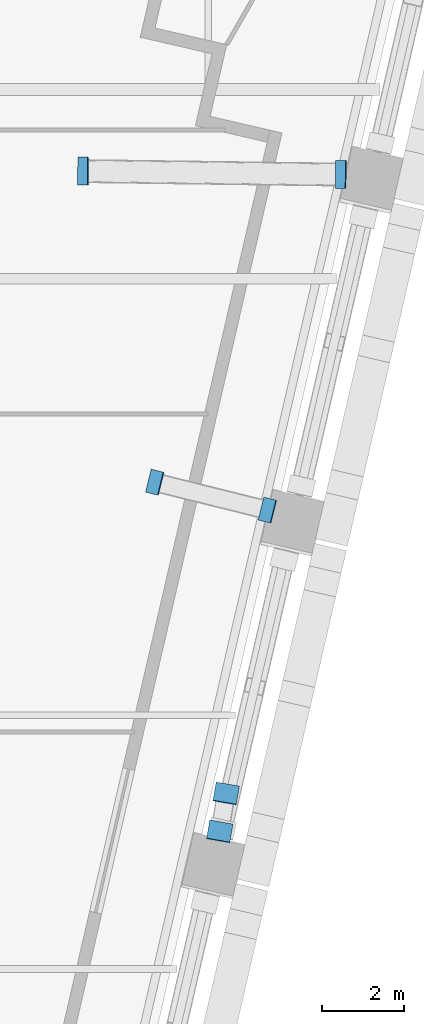
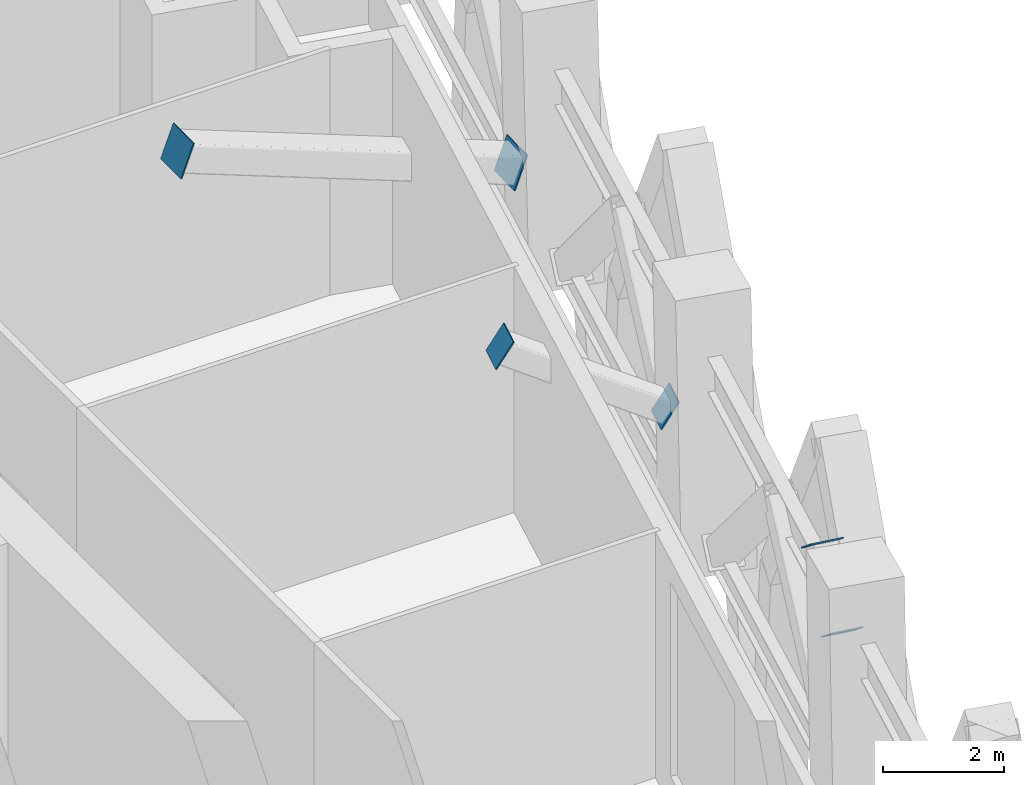
# One storey, part 16 of 20: 6 discrete accessories.
"""IFC4 building model written with IfcOpenShell, lengths in metres."""

import ifcopenshell
import ifcopenshell.guid

model = None  # the IFC model being written
_history = None  # IfcOwnerHistory: only IFC2X3 demands one
_inside = {}  # id of a spatial element -> (the spatial element, [elements in it])
_under = {}  # id of a project, library or spatial element -> (it, [spatial elements below it])
_declared = {}  # id of a project -> (the project, [libraries it declares])
_typed = {}  # id of a type object -> (the type object, [elements of that type])
_made_of = {}  # id of a material, layer set ... -> (it, [elements and type objects made of it])


def new_model(schema):
    """Start an empty IFC model of exactly this schema.

    Asked for "IFC4X3", IfcOpenShell would pick the latest addendum, in which some entities
    have other attributes; the version numbers below select the first issue.
    IFC2X3 requires an IfcOwnerHistory on every rooted entity: one is made here for all.
    """
    global model, _history
    if schema == "IFC4X3":
        model = ifcopenshell.file(schema_version=(4, 3, 0, 0))
    else:
        model = ifcopenshell.file(schema=schema)
    _inside.clear()
    _under.clear()
    _declared.clear()
    _typed.clear()
    _made_of.clear()
    _history = None
    if model.schema == "IFC2X3":
        org = make("IfcOrganization", Name="unknown")
        user = make(
            "IfcPersonAndOrganization",
            ThePerson=make("IfcPerson", FamilyName="unknown"),
            TheOrganization=org,
        )
        app = make(
            "IfcApplication",
            ApplicationDeveloper=org,
            Version="unknown",
            ApplicationFullName="unknown",
            ApplicationIdentifier="unknown",
        )
        _history = make(
            "IfcOwnerHistory",
            OwningUser=user,
            OwningApplication=app,
            ChangeAction="ADDED",
            CreationDate=0,
        )
    return model


def make(cls, **values):
    """One entity of the class cls with the attributes given. An attribute that is None is left unset."""
    return model.create_entity(
        cls, **{name: value for name, value in values.items() if value is not None}
    )


def rooted(cls, **values):
    """An entity with a GlobalId (a new one), such as an element, a storey or a relation."""
    return make(cls, GlobalId=ifcopenshell.guid.new(), OwnerHistory=_history, **values)


def si_unit(unit_type, name, prefix=None):
    """IfcSIUnit, for example si_unit("LENGTHUNIT", "METRE", prefix="MILLI")."""
    return make("IfcSIUnit", UnitType=unit_type, Prefix=prefix, Name=name)


def assignment(units):
    """IfcUnitAssignment: the units of a project."""
    return None if units is None else make("IfcUnitAssignment", Units=units)


def point(xyz):
    """IfcCartesianPoint."""
    return None if xyz is None else make("IfcCartesianPoint", Coordinates=xyz)


def direction(xyz):
    """IfcDirection."""
    return None if xyz is None else make("IfcDirection", DirectionRatios=xyz)


def frame(location, z_axis=None, x_axis=None):
    """IfcAxis2Placement3D, a coordinate frame: its origin and axes. An axis left out is left unset."""
    return make(
        "IfcAxis2Placement3D",
        Location=point(location),
        Axis=direction(z_axis),
        RefDirection=direction(x_axis),
    )


def frame_2d(location, x_axis=None):
    """IfcAxis2Placement2D, a coordinate frame in the plane: its origin and x axis."""
    return make(
        "IfcAxis2Placement2D", Location=point(location), RefDirection=direction(x_axis)
    )


def origin():
    """The frame at (0, 0, 0) with its axes left unset."""
    return frame((0.0, 0.0, 0.0))


def origin_2d():
    """The frame at (0, 0) in the plane with its x axis left unset."""
    return frame_2d((0.0, 0.0))


def place(relative_to, where):
    """IfcLocalPlacement: puts the frame where relative to a parent placement (None: the world)."""
    return make(
        "IfcLocalPlacement", PlacementRelTo=relative_to, RelativePlacement=where
    )


def context(
    kind, dimensions, precision=None, world=None, true_north=None, identifier=None
):
    """IfcGeometricRepresentationContext, for example the 3D "Model" context."""
    return make(
        "IfcGeometricRepresentationContext",
        ContextIdentifier=identifier,
        ContextType=kind,
        CoordinateSpaceDimension=dimensions,
        Precision=precision,
        WorldCoordinateSystem=world,
        TrueNorth=true_north,
    )


def subcontext(parent, identifier, kind, view, scale=None):
    """IfcGeometricRepresentationSubContext, for example "Body" below "Model"."""
    return make(
        "IfcGeometricRepresentationSubContext",
        ContextIdentifier=identifier,
        ContextType=kind,
        ParentContext=parent,
        TargetScale=scale,
        TargetView=view,
    )


def project(units=None, contexts=None):
    """IfcProject with its units and contexts."""
    return rooted(
        "IfcProject",
        Name="project",
        RepresentationContexts=contexts,
        UnitsInContext=assignment(units),
    )


def spatial(cls, under=None, at=None, **own):
    """A site, building, storey or space (cls), placed at a placement, below another one or the project."""
    s = rooted(cls, ObjectPlacement=at, **own)
    if under is not None:
        _under.setdefault(under.id(), (under, []))[1].append(s)
    return s


def profile(cls, at=None, kind="AREA", **sizes):
    """A parametric profile (cls). Its sizes go by their IFC names, for example OverallWidth=200.0."""
    return make(cls, ProfileType=kind, Position=at, **sizes)


def rectangle(**sizes):
    """IfcRectangleProfileDef."""
    return profile("IfcRectangleProfileDef", **sizes)


def extrude(swept, where, along, depth):
    """IfcExtrudedAreaSolid: the profile swept, set in the frame where, extruded along a direction by depth."""
    return make(
        "IfcExtrudedAreaSolid",
        SweptArea=swept,
        Position=where,
        ExtrudedDirection=direction(along),
        Depth=depth,
    )


def shape(context_of_items, identifier, shape_type, items):
    """IfcShapeRepresentation: the items that make up one representation, for example the "Body"."""
    return make(
        "IfcShapeRepresentation",
        ContextOfItems=context_of_items,
        RepresentationIdentifier=identifier,
        RepresentationType=shape_type,
        Items=items,
    )


def material(Name=None, Category=None):
    """IfcMaterial."""
    return make("IfcMaterial", Name=Name, Category=Category)


def material_profile(
    of_material, cross_section, Name=None, Category=None, Priority=None
):
    """IfcMaterialProfile: a cross section and its material."""
    return make(
        "IfcMaterialProfile",
        Name=Name,
        Material=of_material,
        Profile=cross_section,
        Priority=Priority,
        Category=Category,
    )


def profile_set(profiles, Name=None, composite=None):
    """IfcMaterialProfileSet."""
    return make(
        "IfcMaterialProfileSet",
        Name=Name,
        MaterialProfiles=profiles,
        CompositeProfile=composite,
    )


def made_of(thing, what):
    """Note that an element or type object is made of a material, layer set ...; save() writes the relation."""
    if what is not None:
        _made_of.setdefault(what.id(), (what, []))[1].append(thing)
    return thing


def type_object(cls, material=None, **own):
    """A type object (cls), such as IfcWallType, which elements share."""
    return made_of(rooted(cls, **own), material)


def element(
    cls,
    number,
    at=None,
    inside=None,
    cuts=None,
    type_object=None,
    material=None,
    context=None,
    identifier="Body",
    shape_type=None,
    held_by="IfcProductDefinitionShape",
    body=None,
    shapes=None,
    **own,
):
    """One element of the class cls, such as IfcWall. Its Tag is "e" and its number.

    at: its placement. inside: the storey or other place that contains it. cuts: it is an
    opening in that element (IfcRelVoidsElement). A single representation is given by context,
    identifier, shape_type and body (its items); several are given by shapes. held_by: the class
    of the entity that holds the representations. save() writes the other relations.
    """
    e = rooted(cls, Tag="e%d" % number, ObjectPlacement=at, **own)
    if body is not None:
        shapes = [shape(context, identifier, shape_type, body)]
    if shapes is not None:
        e.Representation = make(held_by, Representations=shapes)
    if inside is not None:
        _inside.setdefault(inside.id(), (inside, []))[1].append(e)
    if cuts is not None:
        rooted(
            "IfcRelVoidsElement", RelatingBuildingElement=cuts, RelatedOpeningElement=e
        )
    if type_object is not None:
        _typed.setdefault(type_object.id(), (type_object, []))[1].append(e)
    return made_of(e, material)


def aggregate(whole, parts):
    """IfcRelAggregates: a whole, such as a stair, and the parts it consists of."""
    return rooted("IfcRelAggregates", RelatingObject=whole, RelatedObjects=parts)


def save(model, path):
    """Write the relations noted so far, then the file.

    IfcRelAggregates (storeys below a building ...), IfcRelContainedInSpatialStructure (elements
    in a storey), IfcRelDefinesByType, IfcRelAssociatesMaterial and IfcRelDeclares: one each for
    every whole, place, type object, material and project.
    """
    for whole, parts in _under.values():
        aggregate(whole, parts)
    for where, things in _inside.values():
        rooted(
            "IfcRelContainedInSpatialStructure",
            RelatedElements=things,
            RelatingStructure=where,
        )
    for kind, things in _typed.values():
        rooted("IfcRelDefinesByType", RelatedObjects=things, RelatingType=kind)
    for what, things in _made_of.values():
        rooted("IfcRelAssociatesMaterial", RelatedObjects=things, RelatingMaterial=what)
    for by, libraries in _declared.values():
        rooted("IfcRelDeclares", RelatingContext=by, RelatedDefinitions=libraries)
    model.write(path)


model = new_model("IFC4")

# Units and contexts
model_context = context("Model", 3, precision=1e-05, world=origin(), true_north=direction((0.0, 1.0)))
body_context = subcontext(model_context, "Body", "Model", "MODEL_VIEW")
ifc_project = project(units=[si_unit("LENGTHUNIT", "METRE"), si_unit("AREAUNIT", "SQUARE_METRE"), si_unit("VOLUMEUNIT", "CUBIC_METRE"), si_unit("PLANEANGLEUNIT", "RADIAN"), si_unit("MASSUNIT", "GRAM", prefix="KILO")], contexts=[model_context])

# Site, building, storey
site_placement = place(None, origin())
site = spatial("IfcSite", under=ifc_project, at=site_placement, CompositionType="ELEMENT")
building_placement = place(site_placement, origin())
building = spatial("IfcBuilding", under=site, at=building_placement, Name="Ogive Exchange Tower", CompositionType="ELEMENT")
storey_placement = place(building_placement, frame((0.0, 0.0, 160.199951171875)))
storey = spatial("IfcBuildingStorey", under=building, at=storey_placement, Name="L35", CompositionType="ELEMENT", Elevation=160.199951171875)

# Discrete accessories
ifc_material = material(Name="Steel ASTM A572 Gr50", Category="steel")
ifc_material_profile_1 = material_profile(ifc_material, rectangle(XDim=0.576904296875, YDim=0.576904296875, at=origin_2d()), Name="PL 577 x 577 x 25")
ifc_profile_set_1 = profile_set([ifc_material_profile_1], Name="Steel ASTM A572 Gr50")
discrete_accessory_type_1 = type_object("IfcDiscreteAccessoryType", Name="Gusset plate 577 x 577 x 25", PredefinedType="USERDEFINED", material=ifc_profile_set_1)
for number, where, z_axis, x_axis, name in (
    (1, (32.580810546875, 7.1083984375, 3.607666015625), (0.107400163142, 0.615110025267, 0.781092095577), (-0.985096770841, 0.17200102348, 0.0), "Block-change strut 10 end plate A"),
    (2, (32.7373046875, 8.035400390625, 4.7880859375), (0.107400163142, 0.615110025267, 0.781092095577), (-0.985096770841, 0.17200102348, 0.0), "Block-change strut 10 end plate B"),
    (3, (33.75830078125, 14.962646484375, 2.984375), (-0.823173444853, 0.205793361213, 0.529182928834), (-0.242535625036, -0.970142500145, 0.0), "Block-change strut 11 end plate A"),
):
    element("IfcDiscreteAccessory", number, at=place(storey_placement, frame(where, z_axis=z_axis, x_axis=x_axis)), inside=storey, type_object=discrete_accessory_type_1, Name=name, ObjectType="GUSSET PLATE", PredefinedType="USERDEFINED", context=body_context, shape_type="SweptSolid", body=[
        extrude(rectangle(XDim=0.576904296875, YDim=0.576904296875, at=origin_2d()), origin(), (0.0, 0.0, 1.0), 0.02490234375),
    ])
discrete_accessory_placement = place(storey_placement, frame((31.006103515625, 15.645751953125, 4.74267578125), z_axis=(-0.826294852195, 0.204143434072, 0.524940259041), x_axis=(-0.239847329474, -0.970810619299, 0.0)))
element("IfcDiscreteAccessory", 4, at=discrete_accessory_placement, inside=storey, type_object=discrete_accessory_type_1, Name="Block-change strut 11 end plate B", ObjectType="GUSSET PLATE", PredefinedType="USERDEFINED", context=body_context, shape_type="SweptSolid", body=[
    extrude(rectangle(XDim=0.576904296875, YDim=0.576904296875, at=origin_2d()), origin(), (0.0, 0.0, 1.0), 0.025146484375),
])
ifc_material_profile_2 = material_profile(ifc_material, rectangle(XDim=0.678955078125, YDim=0.678955078125, at=origin_2d()), Name="PL 679 x 679 x 25")
ifc_profile_set_2 = profile_set([ifc_material_profile_2], Name="Steel ASTM A572 Gr50")
discrete_accessory_type_2 = type_object("IfcDiscreteAccessoryType", Name="Gusset plate 679 x 679 x 25", PredefinedType="USERDEFINED", material=ifc_profile_set_2)
for number, where, z_axis, x_axis, name in (
    (5, (35.554931640625, 23.165771484375, 2.288818359375), (-0.936284644541, 0.009752965047, 0.351106741703), (-0.010416101572, -0.999945750943, 0.0), "Block-change strut 12 end plate A"),
    (6, (29.254150390625, 23.250732421875, 4.679931640625), (-0.936284644541, 0.009752965047, 0.351106741703), (-0.010416101572, -0.999945750943, 0.0), "Block-change strut 12 end plate B"),
):
    element("IfcDiscreteAccessory", number, at=place(storey_placement, frame(where, z_axis=z_axis, x_axis=x_axis)), inside=storey, type_object=discrete_accessory_type_2, Name=name, ObjectType="GUSSET PLATE", PredefinedType="USERDEFINED", context=body_context, shape_type="SweptSolid", body=[
        extrude(rectangle(XDim=0.678955078125, YDim=0.678955078125, at=origin_2d()), origin(), (0.0, 0.0, 1.0), 0.025146484375),
    ])

save(model, "model.ifc")
